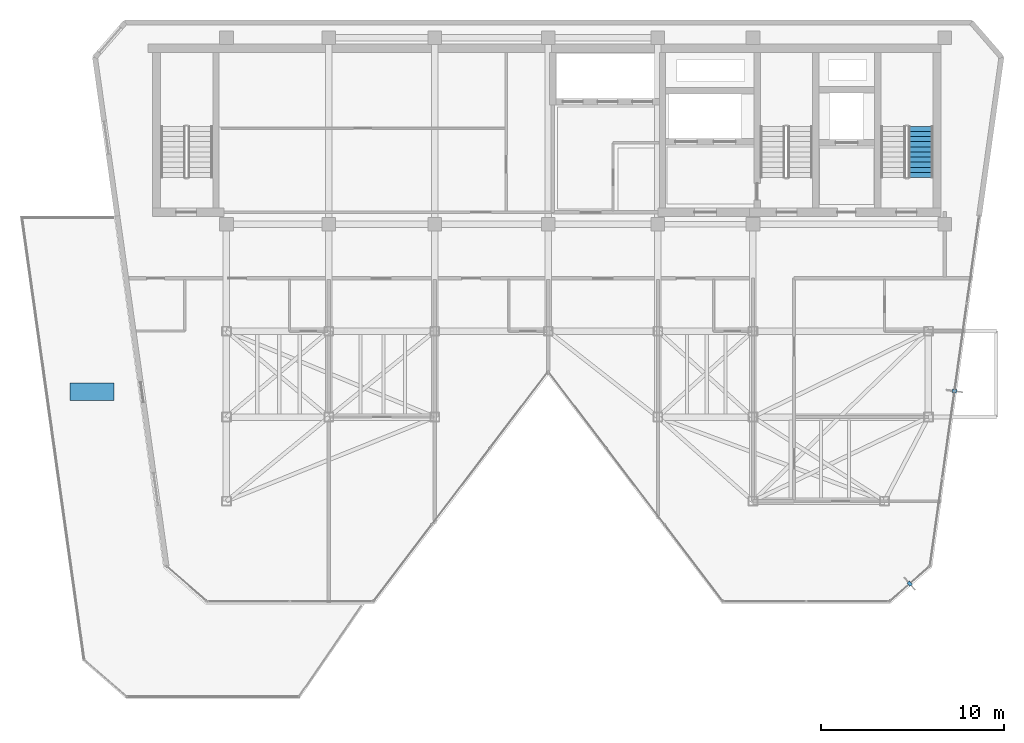
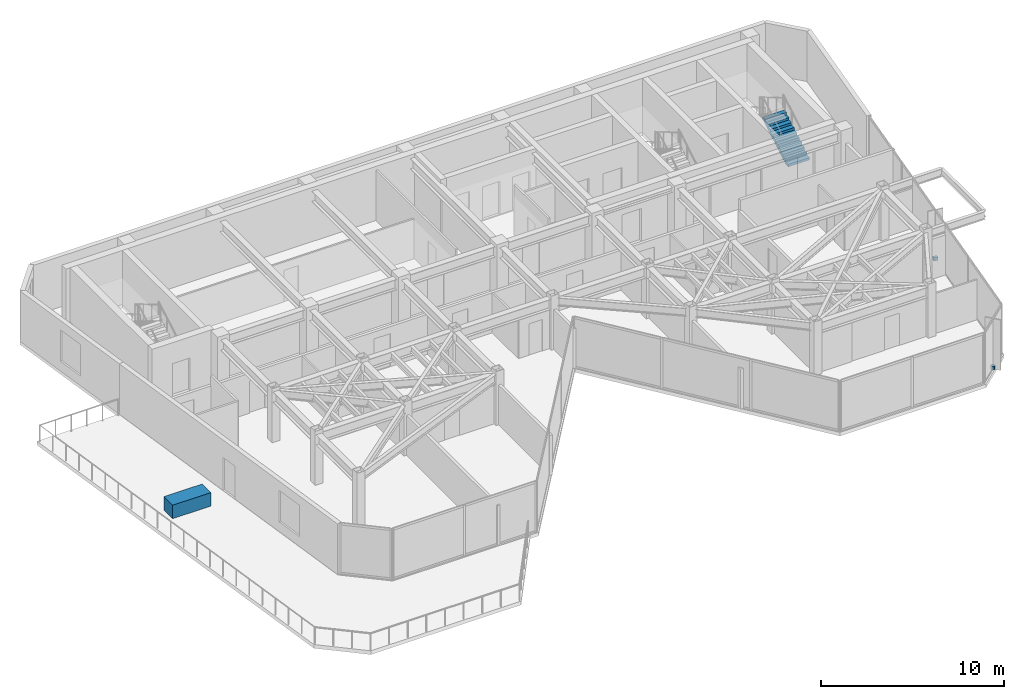
# One storey, part 18 of 21: 3 discrete accessories, 1 stair flight, 1 element without a shape of its own.
"""IFC4 building model written with IfcOpenShell, lengths in metres."""

from ifc_helpers import new_model, si_unit, direction, frame, origin, origin_2d, place, context, subcontext, project, spatial, polyline, rectangle, outline, extrude, material, layer, layer_set, type_object, element, aggregate, save


model = new_model("IFC4")

# Units and contexts
model_context = context("Model", 3, precision=1e-05, world=origin(), true_north=direction((0.0, 1.0)))
body_context = subcontext(model_context, "Body", "Model", "MODEL_VIEW")
ifc_project = project(units=[si_unit("LENGTHUNIT", "METRE"), si_unit("AREAUNIT", "SQUARE_METRE"), si_unit("VOLUMEUNIT", "CUBIC_METRE"), si_unit("PLANEANGLEUNIT", "RADIAN"), si_unit("MASSUNIT", "GRAM", prefix="KILO")], contexts=[model_context])

# Site, building, storey
site_placement = place(None, origin())
site = spatial("IfcSite", under=ifc_project, at=site_placement, CompositionType="ELEMENT")
building_placement = place(site_placement, origin())
building = spatial("IfcBuilding", under=site, at=building_placement, Name="Kravanh Interchange Tower", CompositionType="ELEMENT")
storey_placement = place(building_placement, frame((0.0, 0.0, 231.0)))
storey = spatial("IfcBuildingStorey", under=building, at=storey_placement, Name="L55", CompositionType="ELEMENT", Elevation=231.0)

# Stair, stair flight
ifc_material_1 = material(Name="Concrete C50/60", Category="concrete")
stair_type = type_object("IfcStairType", Name="Core Fire Exit Dogleg Stair Concrete C50/60", PredefinedType="HALF_TURN_STAIR", material=ifc_material_1)
stair_placement = place(storey_placement, origin())
stair = element("IfcStair", 1, at=stair_placement, inside=storey, type_object=stair_type, Name="L55 Exit Stair ST1", PredefinedType="HALF_TURN_STAIR")
ifc_material_2 = material(Name="Precast Concrete C50/60", Category="concrete")
ifc_layer = layer(ifc_material_2, 0.199951171875)
ifc_layer_set = layer_set([ifc_layer], Name="Precast Concrete C50/60 Stair Flight 1350mm")
stair_flight_type = type_object("IfcStairFlightType", Name="Precast Concrete C50/60 Stair Flight 1350mm", PredefinedType="STRAIGHT", material=ifc_layer_set)
stair_flight_placement = place(storey_placement, frame((65.175048828125, 39.89990234375, 0.0), z_axis=(0.0, 0.0, 1.0), x_axis=(0.0, 1.0, 0.0)))
stair_flight = element("IfcStairFlight", 2, at=stair_flight_placement, type_object=stair_flight_type, Name="ST1 flight 1", NumberOfRisers=11, NumberOfTreads=10, PredefinedType="STRAIGHT", RiserHeight=0.163636364, TreadLength=0.28, context=body_context, shape_type="SweptSolid", body=[
    extrude(outline(polyline([(0.0, 0.0), (0.0, 0.16357421875), (0.280029296875, 0.16357421875), (0.280029296875, 0.327392578125), (0.56005859375, 0.327392578125), (0.56005859375, 0.490966796875), (0.840087890625, 0.490966796875), (0.840087890625, 0.654541015625), (1.1201171875, 0.654541015625), (1.1201171875, 0.818115234375), (1.39990234375, 0.818115234375), (1.39990234375, 0.98193359375), (1.679931640625, 0.98193359375), (1.679931640625, 1.1455078125), (1.9599609375, 1.1455078125), (1.9599609375, 1.30908203125), (2.239990234375, 1.30908203125), (2.239990234375, 1.47265625), (2.52001953125, 1.47265625), (2.52001953125, 1.636474609375), (2.800048828125, 1.636474609375), (2.800048828125, 1.800048828125), (2.800048828125, 1.462646484375), (0.297119140625, 0.0), (0.0, 0.0)])), frame((0.0, 0.675048828125, 0.0), z_axis=(0.0, -1.0, 0.0), x_axis=(1.0, 0.0, 0.0)), (0.0, 0.0, 1.0), 1.35009765625),
])
aggregate(stair, [stair_flight])

# Discrete accessories
ifc_material_3 = material(Name="Stainless Steel 316", Category="steel")
discrete_accessory_type_1 = type_object("IfcDiscreteAccessoryType", Name="Solar Fin Curtain-Wall Mounting Bracket Stainless 316", PredefinedType="BRACKET", material=ifc_material_3)
for number, where, z_axis, x_axis, name in (
    (3, (67.02880859375, 28.220703125, 0.0), (0.0, 0.0, 1.0), (0.990267924056, -0.139174130448, 0.0), "L55 Solar Fin Mounting Bracket 1"),
    (4, (64.5771484375, 17.680908203125, 0.0), (0.0, 0.0, 1.0), (0.656043386928, -0.754723177376, 0.0), "L55 Solar Fin Mounting Bracket 2"),
):
    element("IfcDiscreteAccessory", number, at=place(storey_placement, frame(where, z_axis=z_axis, x_axis=x_axis)), inside=storey, type_object=discrete_accessory_type_1, Name=name, PredefinedType="BRACKET", context=body_context, shape_type="SweptSolid", body=[
        extrude(rectangle(XDim=0.239990234375, YDim=0.179931640625, at=origin_2d()), origin(), (0.0, 0.0, 1.0), 0.219970703125),
    ])
ifc_material_4 = material(Name="Architectural GRC Concrete C40/50 with Root Barrier", Category="concrete")
discrete_accessory_type_2 = type_object("IfcDiscreteAccessoryType", Name="Stepped Terrace Tree Planter Box Concrete C40/50 2400x950x900", PredefinedType="USERDEFINED", material=ifc_material_4)
discrete_accessory_placement = place(storey_placement, frame((19.8359375, 28.179931640625, 0.0), z_axis=(0.0, 0.0, 1.0), x_axis=(1.0, 0.0, 0.0)))
element("IfcDiscreteAccessory", 5, at=discrete_accessory_placement, inside=storey, type_object=discrete_accessory_type_2, Name="L55 Stepped Terrace TREE PLANTER 1", ObjectType="PLANTER", PredefinedType="USERDEFINED", context=body_context, shape_type="SweptSolid", body=[
    extrude(rectangle(XDim=2.39990234375, YDim=0.949951171875, at=origin_2d()), origin(), (0.0, 0.0, 1.0), 0.89990234375),
])

save(model, "model.ifc")
